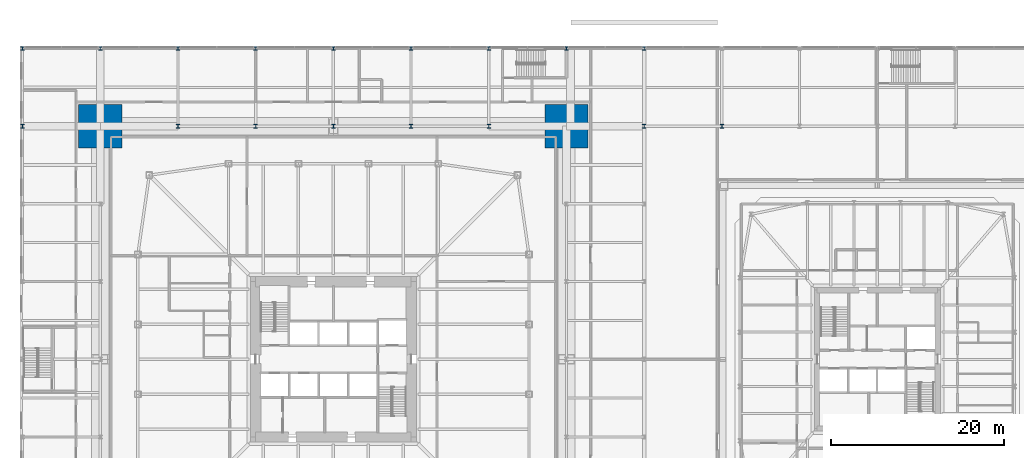
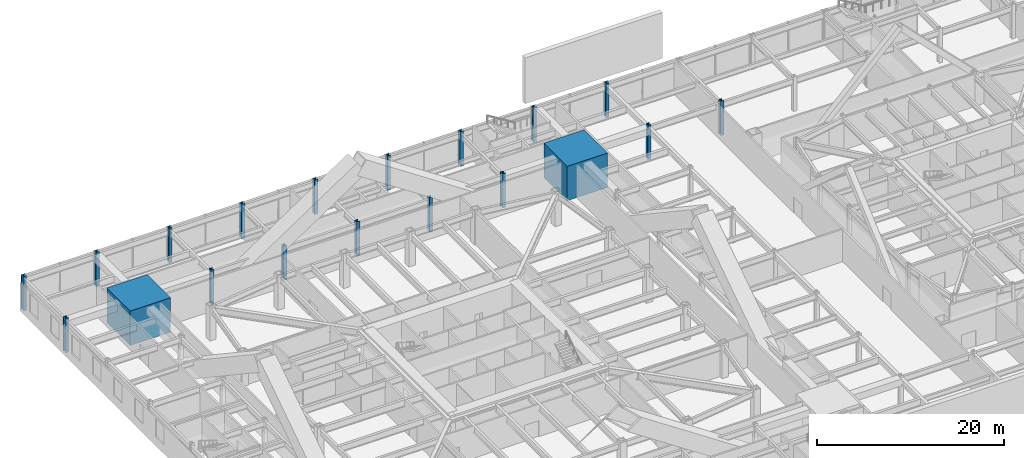
# One storey, part 4 of 32: 19 columns.
"""IFC4 building model written with IfcOpenShell, lengths in metres."""

from ifc_helpers import new_model, si_unit, direction, frame, origin, origin_2d, place, context, subcontext, project, spatial, rectangle, i_section, extrude, material, material_profile, profile_set, type_object, element, save


model = new_model("IFC4")

# Units and contexts
model_context = context("Model", 3, precision=1e-05, world=origin(), true_north=direction((0.0, 1.0)))
body_context = subcontext(model_context, "Body", "Model", "MODEL_VIEW")
ifc_project = project(units=[si_unit("LENGTHUNIT", "METRE"), si_unit("AREAUNIT", "SQUARE_METRE"), si_unit("VOLUMEUNIT", "CUBIC_METRE"), si_unit("PLANEANGLEUNIT", "RADIAN"), si_unit("MASSUNIT", "GRAM", prefix="KILO")], contexts=[model_context])

# Site, building, storey
site_placement = place(None, origin())
site = spatial("IfcSite", under=ifc_project, at=site_placement, CompositionType="ELEMENT")
building_placement = place(site_placement, origin())
building = spatial("IfcBuilding", under=site, at=building_placement, Name="Iwan Alto Co-Living Towers", CompositionType="ELEMENT")
storey_placement = place(building_placement, frame((0.0, 0.0, 6.0)))
storey = spatial("IfcBuildingStorey", under=building, at=storey_placement, Name="L01", CompositionType="ELEMENT", Elevation=6.0)

# Columns
ifc_material_1 = material(Name="Steel ASTM A992 Gr 50", Category="steel")
ifc_material_profile_1 = material_profile(ifc_material_1, i_section(OverallWidth=0.411376953125, OverallDepth=0.434326171875, WebThickness=0.035888671875, FlangeThickness=0.057373046875, at=origin_2d()), Name="W14X311")
ifc_profile_set_1 = profile_set([ifc_material_profile_1], Name="Steel ASTM A992 Gr 50")
column_type_1 = type_object("IfcColumnType", Name="PODIUM COLUMN W14X311", PredefinedType="COLUMN", material=ifc_profile_set_1)
for number, where, z_axis, x_axis, name in (
    (1, (-36.0, 27.0, 0.0), (0.0, 0.0, 1.0), (1.0, 0.0, 0.0), "Podium column 1/H L01"),
    (2, (-36.0, 36.0, 0.0), (0.0, 0.0, 1.0), (1.0, 0.0, 0.0), "Podium column 1/I L01"),
    (3, (-27.0, 36.0, 0.0), (0.0, 0.0, 1.0), (1.0, 0.0, 0.0), "Podium column 2/I L01"),
    (4, (-18.0, 27.0, 0.0), (0.0, 0.0, 1.0), (1.0, 0.0, 0.0), "Podium column 3/H L01"),
    (5, (-18.0, 36.0, 0.0), (0.0, 0.0, 1.0), (1.0, 0.0, 0.0), "Podium column 3/I L01"),
    (6, (-9.0, 27.0, 0.0), (0.0, 0.0, 1.0), (1.0, 0.0, 0.0), "Podium column 4/H L01"),
    (7, (-9.0, 36.0, 0.0), (0.0, 0.0, 1.0), (1.0, 0.0, 0.0), "Podium column 4/I L01"),
    (8, (0.0, 27.0, 0.0), (0.0, 0.0, 1.0), (1.0, 0.0, 0.0), "Podium column 5/H L01"),
    (9, (0.0, 36.0, 0.0), (0.0, 0.0, 1.0), (1.0, 0.0, 0.0), "Podium column 5/I L01"),
    (10, (9.0, 27.0, 0.0), (0.0, 0.0, 1.0), (1.0, 0.0, 0.0), "Podium column 6/H L01"),
    (11, (9.0, 36.0, 0.0), (0.0, 0.0, 1.0), (1.0, 0.0, 0.0), "Podium column 6/I L01"),
    (12, (18.0, 27.0, 0.0), (0.0, 0.0, 1.0), (1.0, 0.0, 0.0), "Podium column 7/H L01"),
    (13, (18.0, 36.0, 0.0), (0.0, 0.0, 1.0), (1.0, 0.0, 0.0), "Podium column 7/I L01"),
    (14, (27.0, 36.0, 0.0), (0.0, 0.0, 1.0), (1.0, 0.0, 0.0), "Podium column 8/I L01"),
    (15, (36.0, 27.0, 0.0), (0.0, 0.0, 1.0), (1.0, 0.0, 0.0), "Podium column 9/H L01"),
    (16, (36.0, 36.0, 0.0), (0.0, 0.0, 1.0), (1.0, 0.0, 0.0), "Podium column 9/I L01"),
    (17, (45.0, 27.0, 0.0), (0.0, 0.0, 1.0), (1.0, 0.0, 0.0), "Podium column 10/H L01"),
):
    element("IfcColumn", number, at=place(storey_placement, frame(where, z_axis=z_axis, x_axis=x_axis)), inside=storey, type_object=column_type_1, Name=name, PredefinedType="COLUMN", context=body_context, shape_type="SweptSolid", body=[
        extrude(i_section(OverallWidth=0.411376953125, OverallDepth=0.434326171875, WebThickness=0.035888671875, FlangeThickness=0.057373046875, at=origin_2d()), origin(), (0.0, 0.0, 1.0), 4.5),
    ])
ifc_material_2 = material(Name="Concrete f'c 70 MPa", Category="concrete")
ifc_material_profile_2 = material_profile(ifc_material_2, rectangle(XDim=5.0, YDim=5.0, at=origin_2d()), Name="RC 5000X5000")
ifc_profile_set_2 = profile_set([ifc_material_profile_2], Name="Concrete f'c 70 MPa")
column_type_2 = type_object("IfcColumnType", Name="T1 MEGA COLUMN RC 5000X5000", PredefinedType="COLUMN", material=ifc_profile_set_2)
for number, where, z_axis, x_axis, name in (
    (18, (27.0, 27.0, 0.0), (0.0, 0.0, 1.0), (1.0, 0.0, 0.0), "T1 mega column NE L01"),
    (19, (-27.0, 27.0, 0.0), (0.0, 0.0, 1.0), (1.0, 0.0, 0.0), "T1 mega column NW L01"),
):
    element("IfcColumn", number, at=place(storey_placement, frame(where, z_axis=z_axis, x_axis=x_axis)), inside=storey, type_object=column_type_2, Name=name, PredefinedType="COLUMN", context=body_context, shape_type="SweptSolid", body=[
        extrude(rectangle(XDim=5.0, YDim=5.0, at=origin_2d()), origin(), (0.0, 0.0, 1.0), 4.5),
        extrude(i_section(OverallWidth=0.4775390625, OverallDepth=0.599365234375, WebThickness=0.10009765625, FlangeThickness=0.139892578125, at=origin_2d()), origin(), (0.0, 0.0, 1.0), 4.5),
    ])

save(model, "model.ifc")
